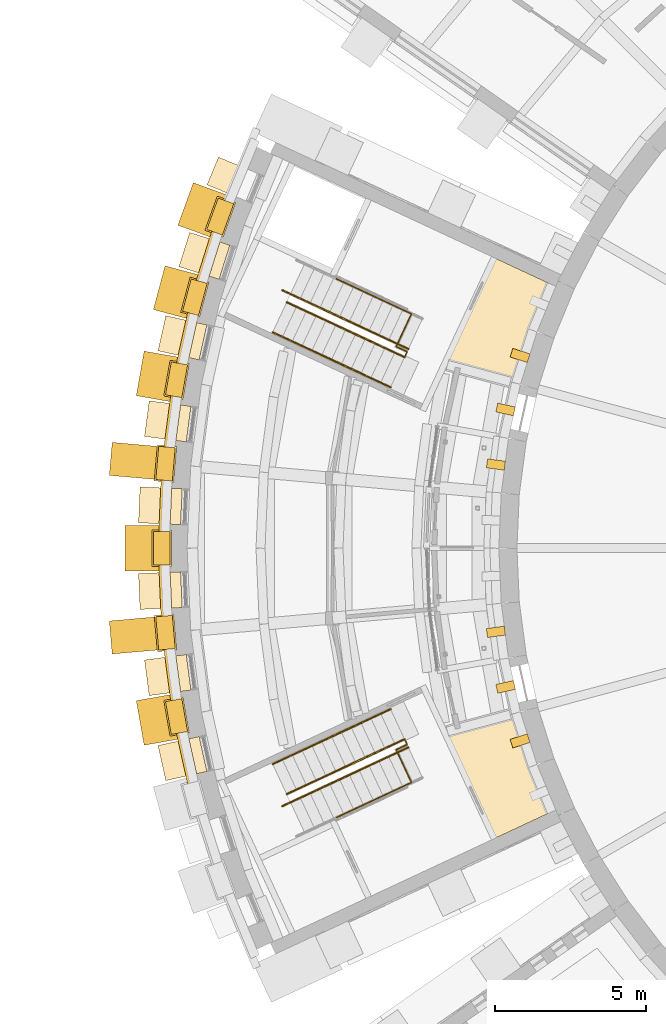
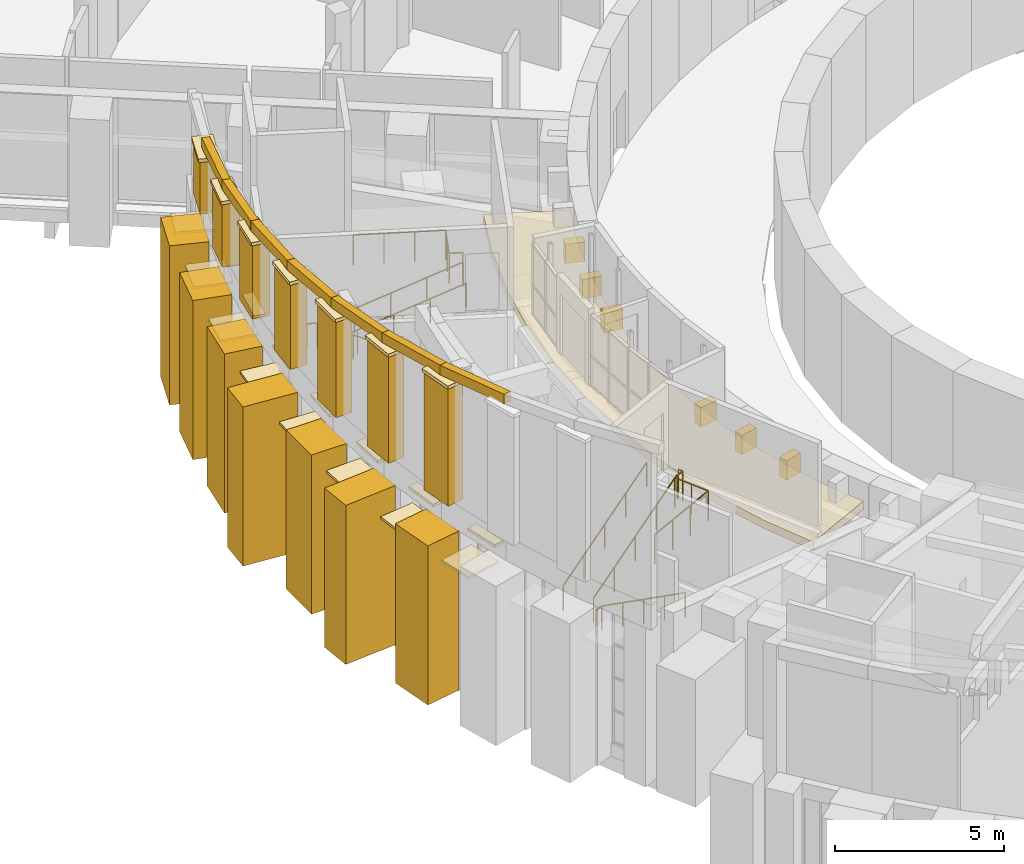
# One storey, part 55 of 66: 50 coverings, 8 railings.
"""IFC4 building model written with IfcOpenShell, lengths in metres."""

import ifcopenshell
import ifcopenshell.guid

model = None  # the IFC model being written
_history = None  # IfcOwnerHistory: only IFC2X3 demands one
_inside = {}  # id of a spatial element -> (the spatial element, [elements in it])
_under = {}  # id of a project, library or spatial element -> (it, [spatial elements below it])
_declared = {}  # id of a project -> (the project, [libraries it declares])
_typed = {}  # id of a type object -> (the type object, [elements of that type])
_made_of = {}  # id of a material, layer set ... -> (it, [elements and type objects made of it])


def new_model(schema):
    """Start an empty IFC model of exactly this schema.

    Asked for "IFC4X3", IfcOpenShell would pick the latest addendum, in which some entities
    have other attributes; the version numbers below select the first issue.
    IFC2X3 requires an IfcOwnerHistory on every rooted entity: one is made here for all.
    """
    global model, _history
    if schema == "IFC4X3":
        model = ifcopenshell.file(schema_version=(4, 3, 0, 0))
    else:
        model = ifcopenshell.file(schema=schema)
    _inside.clear()
    _under.clear()
    _declared.clear()
    _typed.clear()
    _made_of.clear()
    _history = None
    if model.schema == "IFC2X3":
        org = make("IfcOrganization", Name="unknown")
        user = make(
            "IfcPersonAndOrganization",
            ThePerson=make("IfcPerson", FamilyName="unknown"),
            TheOrganization=org,
        )
        app = make(
            "IfcApplication",
            ApplicationDeveloper=org,
            Version="unknown",
            ApplicationFullName="unknown",
            ApplicationIdentifier="unknown",
        )
        _history = make(
            "IfcOwnerHistory",
            OwningUser=user,
            OwningApplication=app,
            ChangeAction="ADDED",
            CreationDate=0,
        )
    return model


def make(cls, **values):
    """One entity of the class cls with the attributes given. An attribute that is None is left unset."""
    return model.create_entity(
        cls, **{name: value for name, value in values.items() if value is not None}
    )


def rooted(cls, **values):
    """An entity with a GlobalId (a new one), such as an element, a storey or a relation."""
    return make(cls, GlobalId=ifcopenshell.guid.new(), OwnerHistory=_history, **values)


def si_unit(unit_type, name, prefix=None):
    """IfcSIUnit, for example si_unit("LENGTHUNIT", "METRE", prefix="MILLI")."""
    return make("IfcSIUnit", UnitType=unit_type, Prefix=prefix, Name=name)


def assignment(units):
    """IfcUnitAssignment: the units of a project."""
    return None if units is None else make("IfcUnitAssignment", Units=units)


def point(xyz):
    """IfcCartesianPoint."""
    return None if xyz is None else make("IfcCartesianPoint", Coordinates=xyz)


def direction(xyz):
    """IfcDirection."""
    return None if xyz is None else make("IfcDirection", DirectionRatios=xyz)


def frame(location, z_axis=None, x_axis=None):
    """IfcAxis2Placement3D, a coordinate frame: its origin and axes. An axis left out is left unset."""
    return make(
        "IfcAxis2Placement3D",
        Location=point(location),
        Axis=direction(z_axis),
        RefDirection=direction(x_axis),
    )


def frame_2d(location, x_axis=None):
    """IfcAxis2Placement2D, a coordinate frame in the plane: its origin and x axis."""
    return make(
        "IfcAxis2Placement2D", Location=point(location), RefDirection=direction(x_axis)
    )


def origin():
    """The frame at (0, 0, 0) with its axes left unset."""
    return frame((0.0, 0.0, 0.0))


def origin_2d():
    """The frame at (0, 0) in the plane with its x axis left unset."""
    return frame_2d((0.0, 0.0))


def place(relative_to, where):
    """IfcLocalPlacement: puts the frame where relative to a parent placement (None: the world)."""
    return make(
        "IfcLocalPlacement", PlacementRelTo=relative_to, RelativePlacement=where
    )


def context(
    kind, dimensions, precision=None, world=None, true_north=None, identifier=None
):
    """IfcGeometricRepresentationContext, for example the 3D "Model" context."""
    return make(
        "IfcGeometricRepresentationContext",
        ContextIdentifier=identifier,
        ContextType=kind,
        CoordinateSpaceDimension=dimensions,
        Precision=precision,
        WorldCoordinateSystem=world,
        TrueNorth=true_north,
    )


def subcontext(parent, identifier, kind, view, scale=None):
    """IfcGeometricRepresentationSubContext, for example "Body" below "Model"."""
    return make(
        "IfcGeometricRepresentationSubContext",
        ContextIdentifier=identifier,
        ContextType=kind,
        ParentContext=parent,
        TargetScale=scale,
        TargetView=view,
    )


def project(units=None, contexts=None):
    """IfcProject with its units and contexts."""
    return rooted(
        "IfcProject",
        Name="project",
        RepresentationContexts=contexts,
        UnitsInContext=assignment(units),
    )


def spatial(cls, under=None, at=None, **own):
    """A site, building, storey or space (cls), placed at a placement, below another one or the project."""
    s = rooted(cls, ObjectPlacement=at, **own)
    if under is not None:
        _under.setdefault(under.id(), (under, []))[1].append(s)
    return s


def polyline(points):
    """IfcPolyline through the points."""
    return make("IfcPolyline", Points=[point(p) for p in points])


def profile(cls, at=None, kind="AREA", **sizes):
    """A parametric profile (cls). Its sizes go by their IFC names, for example OverallWidth=200.0."""
    return make(cls, ProfileType=kind, Position=at, **sizes)


def rectangle(**sizes):
    """IfcRectangleProfileDef."""
    return profile("IfcRectangleProfileDef", **sizes)


def circle(**sizes):
    """IfcCircleProfileDef."""
    return profile("IfcCircleProfileDef", **sizes)


def outline(outer, holes=None, kind="AREA"):
    """IfcArbitraryClosedProfileDef: a profile drawn as a closed curve; with holes, ...WithVoids."""
    if holes is None:
        return make("IfcArbitraryClosedProfileDef", ProfileType=kind, OuterCurve=outer)
    return make(
        "IfcArbitraryProfileDefWithVoids",
        ProfileType=kind,
        OuterCurve=outer,
        InnerCurves=holes,
    )


def extrude(swept, where, along, depth):
    """IfcExtrudedAreaSolid: the profile swept, set in the frame where, extruded along a direction by depth."""
    return make(
        "IfcExtrudedAreaSolid",
        SweptArea=swept,
        Position=where,
        ExtrudedDirection=direction(along),
        Depth=depth,
    )


def shape(context_of_items, identifier, shape_type, items):
    """IfcShapeRepresentation: the items that make up one representation, for example the "Body"."""
    return make(
        "IfcShapeRepresentation",
        ContextOfItems=context_of_items,
        RepresentationIdentifier=identifier,
        RepresentationType=shape_type,
        Items=items,
    )


def material(Name=None, Category=None):
    """IfcMaterial."""
    return make("IfcMaterial", Name=Name, Category=Category)


def layer(
    of_material, thickness, ventilated=None, Name=None, Category=None, Priority=None
):
    """IfcMaterialLayer: one layer of a wall or slab, of a material (None: an air gap)."""
    return make(
        "IfcMaterialLayer",
        Material=of_material,
        LayerThickness=thickness,
        IsVentilated=ventilated,
        Name=Name,
        Category=Category,
        Priority=Priority,
    )


def layer_set(layers, Name=None):
    """IfcMaterialLayerSet."""
    return make("IfcMaterialLayerSet", MaterialLayers=layers, LayerSetName=Name)


def made_of(thing, what):
    """Note that an element or type object is made of a material, layer set ...; save() writes the relation."""
    if what is not None:
        _made_of.setdefault(what.id(), (what, []))[1].append(thing)
    return thing


def type_object(cls, material=None, **own):
    """A type object (cls), such as IfcWallType, which elements share."""
    return made_of(rooted(cls, **own), material)


def element(
    cls,
    number,
    at=None,
    inside=None,
    cuts=None,
    type_object=None,
    material=None,
    context=None,
    identifier="Body",
    shape_type=None,
    held_by="IfcProductDefinitionShape",
    body=None,
    shapes=None,
    **own,
):
    """One element of the class cls, such as IfcWall. Its Tag is "e" and its number.

    at: its placement. inside: the storey or other place that contains it. cuts: it is an
    opening in that element (IfcRelVoidsElement). A single representation is given by context,
    identifier, shape_type and body (its items); several are given by shapes. held_by: the class
    of the entity that holds the representations. save() writes the other relations.
    """
    e = rooted(cls, Tag="e%d" % number, ObjectPlacement=at, **own)
    if body is not None:
        shapes = [shape(context, identifier, shape_type, body)]
    if shapes is not None:
        e.Representation = make(held_by, Representations=shapes)
    if inside is not None:
        _inside.setdefault(inside.id(), (inside, []))[1].append(e)
    if cuts is not None:
        rooted(
            "IfcRelVoidsElement", RelatingBuildingElement=cuts, RelatedOpeningElement=e
        )
    if type_object is not None:
        _typed.setdefault(type_object.id(), (type_object, []))[1].append(e)
    return made_of(e, material)


def aggregate(whole, parts):
    """IfcRelAggregates: a whole, such as a stair, and the parts it consists of."""
    return rooted("IfcRelAggregates", RelatingObject=whole, RelatedObjects=parts)


def save(model, path):
    """Write the relations noted so far, then the file.

    IfcRelAggregates (storeys below a building ...), IfcRelContainedInSpatialStructure (elements
    in a storey), IfcRelDefinesByType, IfcRelAssociatesMaterial and IfcRelDeclares: one each for
    every whole, place, type object, material and project.
    """
    for whole, parts in _under.values():
        aggregate(whole, parts)
    for where, things in _inside.values():
        rooted(
            "IfcRelContainedInSpatialStructure",
            RelatedElements=things,
            RelatingStructure=where,
        )
    for kind, things in _typed.values():
        rooted("IfcRelDefinesByType", RelatedObjects=things, RelatingType=kind)
    for what, things in _made_of.values():
        rooted("IfcRelAssociatesMaterial", RelatedObjects=things, RelatingMaterial=what)
    for by, libraries in _declared.values():
        rooted("IfcRelDeclares", RelatingContext=by, RelatedDefinitions=libraries)
    model.write(path)


model = new_model("IFC4")

# Units and contexts
model_context = context("Model", 3, precision=1e-05, world=origin(), true_north=direction((0.0, 1.0)))
body_context = subcontext(model_context, "Body", "Model", "MODEL_VIEW")
ifc_project = project(units=[si_unit("LENGTHUNIT", "METRE"), si_unit("AREAUNIT", "SQUARE_METRE"), si_unit("VOLUMEUNIT", "CUBIC_METRE"), si_unit("PLANEANGLEUNIT", "RADIAN"), si_unit("MASSUNIT", "GRAM", prefix="KILO")], contexts=[model_context])

# Site, building, storey
site_placement = place(None, origin())
site = spatial("IfcSite", under=ifc_project, at=site_placement, CompositionType="ELEMENT")
building_placement = place(site_placement, origin())
building = spatial("IfcBuilding", under=site, at=building_placement, Name="Volute Hill Aquarium", CompositionType="ELEMENT")
storey_placement = place(building_placement, frame((0.0, 0.0, 4.60009765625)))
storey = spatial("IfcBuildingStorey", under=building, at=storey_placement, Name="L02", CompositionType="ELEMENT", Elevation=4.60009765625)

# Coverings
ifc_material_1 = material(Name="Precast concrete C40/50", Category="concrete")
covering_type_1 = type_object("IfcCoveringType", Name="Crown coping beam precast concrete C40/50 250x350", PredefinedType="CLADDING", material=ifc_material_1)
covering_1_placement = place(storey_placement, frame((-30.367919921875, 11.047119140625, 8.67626953125), z_axis=(-0.953712655067, 0.300719423325, 0.0), x_axis=(-0.297769818201, -0.944358168739, 0.139716801081)))
element("IfcCovering", 1, at=covering_1_placement, inside=storey, type_object=covering_type_1, Name="Crown coping beam PCB S1 b01", PredefinedType="CLADDING", context=body_context, shape_type="SweptSolid", body=[
    extrude(outline(polyline([(0.0, 0.0), (2.836024238373894, -5.551115123125783e-17), (2.8849046524241113, 0.34642197897571597), (0.04888041405021717, 0.346421978975716), (0.0, 0.0)])), origin(), (0.0, 0.0, -1.0), 0.25),
])
covering_2_placement = place(storey_placement, frame((-31.21533203125, 8.3583984375, 9.072509765625), z_axis=(-0.976307598747, 0.216387320862, 0.0), x_axis=(-0.214264925357, -0.966731664025, 0.139715537909)))
element("IfcCovering", 2, at=covering_2_placement, inside=storey, type_object=covering_type_1, Name="Crown coping beam PCB S1 b02", PredefinedType="CLADDING", context=body_context, shape_type="SweptSolid", body=[
    extrude(outline(polyline([(0.0, 0.0), (2.836049878965016, 0.0), (2.8849298510897508, 0.34642204133146215), (0.0488799721247349, 0.3464220413314622), (0.0, 0.0)])), origin(), (0.0, 0.0, -1.0), 0.25),
])
covering_3_placement = place(storey_placement, frame((-31.824951171875, 5.60595703125, 9.46875), z_axis=(-0.991436234118, 0.130591706011, 0.0), x_axis=(-0.129310595881, -0.981710202953, 0.139727761062)))
element("IfcCovering", 3, at=covering_3_placement, inside=storey, type_object=covering_type_1, Name="Crown coping beam PCB S1 b03", PredefinedType="CLADDING", context=body_context, shape_type="SweptSolid", body=[
    extrude(outline(polyline([(0.0, 0.0), (2.835801786007552, -5.551115123125783e-17), (2.8846860344455694, 0.34642143791893465), (0.0488842484380178, 0.34642143791893465), (0.0, 0.0)])), origin(), (0.0, 0.0, -1.0), 0.25),
])
covering_4_placement = place(storey_placement, frame((-32.192626953125, 2.81103515625, 9.864990234375), z_axis=(-0.999047280142, 0.043640944538, 0.0), x_axis=(-0.043212932331, -0.989249040543, 0.139710337)))
element("IfcCovering", 4, at=covering_4_placement, inside=storey, type_object=covering_type_1, Name="Crown coping beam PCB S1 b04", PredefinedType="CLADDING", context=body_context, shape_type="SweptSolid", body=[
    extrude(outline(polyline([(0.0, 0.0), (2.8361554548091217, 5.551115123125783e-17), (2.8850336073776304, 0.34642229806503766), (0.04887815256850845, 0.3464222980650376), (0.0, 0.0)])), origin(), (0.0, 0.0, -1.0), 0.25),
])
covering_5_placement = place(storey_placement, frame((-32.315185546875, -0.00537109375, 10.26123046875), z_axis=(-0.999047280142, -0.043640944538, 0.0), x_axis=(0.043212932331, -0.989249040543, 0.139710337)))
element("IfcCovering", 5, at=covering_5_placement, inside=storey, type_object=covering_type_1, Name="Crown coping beam PCB S1 b05", PredefinedType="CLADDING", context=body_context, shape_type="SweptSolid", body=[
    extrude(outline(polyline([(0.0, 0.0), (2.8361554548091217, 5.551115123125783e-17), (2.8850677163466245, 0.34666404426047726), (0.04887815256850845, 0.3464222980650376), (0.0, 0.0)])), origin(), (0.0, 0.0, -1.0), 0.25),
])
covering_6_placement = place(storey_placement, frame((-32.191650390625, -2.822021484375, 10.657470703125), z_axis=(-0.991448968315, -0.130494993111, 0.0), x_axis=(0.12921502055, -0.98172424674, 0.139717507231)))
element("IfcCovering", 6, at=covering_6_placement, inside=storey, type_object=covering_type_1, Name="Crown coping beam PCB S1 b06", PredefinedType="CLADDING", context=body_context, shape_type="SweptSolid", body=[
    extrude(outline(polyline([(0.0, 0.0), (2.8360099047621032, -5.551115123125783e-17), (2.8849246765806718, 0.34666369006528586), (0.04891477181856841, 0.34666369006528586), (0.0, 0.0)])), origin(), (0.0, 0.0, -1.0), 0.25),
])
covering_7_placement = place(storey_placement, frame((-31.8232421875, -5.616943359375, 11.0537109375), z_axis=(-0.976285154844, -0.216488559583, 0.0), x_axis=(0.214364894641, -0.966708193545, 0.139724587953)))
element("IfcCovering", 7, at=covering_7_placement, inside=storey, type_object=covering_type_1, Name="Crown coping beam PCB S1 b07", PredefinedType="CLADDING", context=body_context, shape_type="SweptSolid", body=[
    extrude(outline(polyline([(0.0, 0.0), (2.835866186332988, 5.551115123125783e-17), (2.8847834370958028, 0.3466633402734577), (0.048917250762814855, 0.34666334027345763), (0.0, 0.0)])), origin(), (0.0, 0.0, -1.0), 0.25),
])
ifc_material_2 = material(Name="Precast pale concrete C40/50", Category="concrete")
covering_type_2 = type_object("IfcCoveringType", Name="Drum pier fin 300x600", PredefinedType="CLADDING", material=ifc_material_2)
for number, where, z_axis, x_axis, name in (
    (8, (-20.29541015625, 6.399169921875, 3.89990234375), (0.0, 0.0, 1.0), (-0.300705799504, -0.953716950748, 0.0), "Drum pier fin DF 33 L02"),
    (9, (-20.77587890625, 4.60595703125, 3.89990234375), (0.0, 0.0, 1.0), (-0.216439613938, -0.97629600712, 0.0), "Drum pier fin DF 34 L02"),
    (10, (-21.09814453125, 2.777587890625, 3.89990234375), (0.0, 0.0, 1.0), (-0.13052619222, -0.991444861374, 0.0), "Drum pier fin DF 35 L02"),
    (11, (-21.09814453125, -2.777587890625, 3.89990234375), (0.0, 0.0, 1.0), (0.13052619222, -0.991444861374, 0.0), "Drum pier fin DF 38 L02"),
    (12, (-20.77587890625, -4.60595703125, 3.89990234375), (0.0, 0.0, 1.0), (0.216439613938, -0.97629600712, 0.0), "Drum pier fin DF 39 L02"),
    (13, (-20.29541015625, -6.399169921875, 3.89990234375), (0.0, 0.0, 1.0), (0.300705799504, -0.953716950748, 0.0), "Drum pier fin DF 40 L02"),
):
    element("IfcCovering", number, at=place(storey_placement, frame(where, z_axis=z_axis, x_axis=x_axis)), inside=storey, type_object=covering_type_2, Name=name, PredefinedType="CLADDING", context=body_context, shape_type="SweptSolid", body=[
        extrude(rectangle(XDim=0.300048828125, YDim=0.60009765625, at=origin_2d()), origin(), (0.0, 0.0, 1.0), 0.699951171875),
    ])

# Railings
ifc_material_3 = material(Name="Stainless steel 1.4301", Category="steel")
railing_type_1 = type_object("IfcRailingType", Name="Guard 1100 stainless", PredefinedType="GUARDRAIL", material=ifc_material_3)
railing_1_placement = place(storey_placement, frame((-24.109375, 6.387451171875, 4.31982421875)))
element("IfcRailing", 14, at=railing_1_placement, inside=storey, type_object=railing_type_1, Name="gd/S1-A/L02/roofwell", PredefinedType="GUARDRAIL", context=body_context, shape_type="SweptSolid", body=[
    extrude(circle(Radius=0.02392578125, at=origin_2d()), frame((0.0, 0.0, 1.076171875), z_axis=(0.422974523056, 0.906141574394, 0.0), x_axis=(-0.906141574394, 0.422974523056, 0.0)), (0.0, 0.0, 1.0), 0.150146484375),
    extrude(circle(Radius=0.02392578125, at=origin_2d()), frame((0.0634765625, 0.135986328125, 1.076171875), z_axis=(-0.906416906794, 0.422384174748, 0.0), x_axis=(-0.422384174748, -0.906416906794, 0.0)), (0.0, 0.0, 1.0), 0.39990234375),
    extrude(circle(Radius=0.02392578125, at=origin_2d()), frame((-0.299072265625, 0.304931640625, 1.076171875), z_axis=(0.422551314709, 0.90633900194, 0.0), x_axis=(-0.90633900194, 0.422551314709, 0.0)), (0.0, 0.0, 1.0), 1.199951171875),
    extrude(circle(Radius=0.02392578125, at=origin_2d()), frame((0.2080078125, 1.392578125, 1.076171875), z_axis=(-0.906291971302, 0.422652177037, 0.0), x_axis=(-0.422652177037, -0.906291971302, 0.0)), (0.0, 0.0, 1.0), 2.750244140625),
    extrude(circle(Radius=0.02099609375, at=origin_2d()), origin(), (0.0, 0.0, 1.0), 1.052001953125),
    extrude(circle(Radius=0.02099609375, at=origin_2d()), frame((0.0634765625, 0.135986328125, 0.0)), (0.0, 0.0, 1.0), 1.052001953125),
    extrude(circle(Radius=0.02099609375, at=origin_2d()), frame((-0.299072265625, 0.304931640625, 0.0)), (0.0, 0.0, 1.0), 1.052001953125),
    extrude(circle(Radius=0.02099609375, at=origin_2d()), frame((-0.04541015625, 0.8486328125, 0.0)), (0.0, 0.0, 1.0), 1.052001953125),
    extrude(circle(Radius=0.02099609375, at=origin_2d()), frame((0.2080078125, 1.392578125, 0.0)), (0.0, 0.0, 1.0), 1.052001953125),
    extrude(circle(Radius=0.02099609375, at=origin_2d()), frame((-0.622802734375, 1.780029296875, 0.0)), (0.0, 0.0, 1.0), 1.052001953125),
    extrude(circle(Radius=0.02099609375, at=origin_2d()), frame((-1.45361328125, 2.16748046875, 0.0)), (0.0, 0.0, 1.0), 1.052001953125),
    extrude(circle(Radius=0.02099609375, at=origin_2d()), frame((-2.284423828125, 2.554931640625, 0.0)), (0.0, 0.0, 1.0), 1.052001953125),
])
railing_2_placement = place(storey_placement, frame((-24.109375, -6.387451171875, 4.31982421875)))
element("IfcRailing", 15, at=railing_2_placement, inside=storey, type_object=railing_type_1, Name="gd/S1-B/L02/roofwell", PredefinedType="GUARDRAIL", context=body_context, shape_type="SweptSolid", body=[
    extrude(circle(Radius=0.02392578125, at=origin_2d()), frame((0.0, 0.0, 1.076171875), z_axis=(0.422974523056, -0.906141574394, 0.0), x_axis=(0.906141574394, 0.422974523056, 0.0)), (0.0, 0.0, 1.0), 0.150146484375),
    extrude(circle(Radius=0.02392578125, at=origin_2d()), frame((0.0634765625, -0.135986328125, 1.076171875), z_axis=(-0.906416906794, -0.422384174748, 0.0), x_axis=(0.422384174748, -0.906416906794, 0.0)), (0.0, 0.0, 1.0), 0.39990234375),
    extrude(circle(Radius=0.02392578125, at=origin_2d()), frame((-0.299072265625, -0.304931640625, 1.076171875), z_axis=(0.422551314709, -0.90633900194, 0.0), x_axis=(0.90633900194, 0.422551314709, 0.0)), (0.0, 0.0, 1.0), 1.199951171875),
    extrude(circle(Radius=0.02392578125, at=origin_2d()), frame((0.2080078125, -1.392578125, 1.076171875), z_axis=(-0.906291971302, -0.422652177037, 0.0), x_axis=(0.422652177037, -0.906291971302, 0.0)), (0.0, 0.0, 1.0), 2.750244140625),
    extrude(circle(Radius=0.02099609375, at=origin_2d()), origin(), (0.0, 0.0, 1.0), 1.052001953125),
    extrude(circle(Radius=0.02099609375, at=origin_2d()), frame((0.0634765625, -0.135986328125, 0.0)), (0.0, 0.0, 1.0), 1.052001953125),
    extrude(circle(Radius=0.02099609375, at=origin_2d()), frame((-0.299072265625, -0.304931640625, 0.0)), (0.0, 0.0, 1.0), 1.052001953125),
    extrude(circle(Radius=0.02099609375, at=origin_2d()), frame((-0.04541015625, -0.8486328125, 0.0)), (0.0, 0.0, 1.0), 1.052001953125),
    extrude(circle(Radius=0.02099609375, at=origin_2d()), frame((0.2080078125, -1.392578125, 0.0)), (0.0, 0.0, 1.0), 1.052001953125),
    extrude(circle(Radius=0.02099609375, at=origin_2d()), frame((-0.622802734375, -1.780029296875, 0.0)), (0.0, 0.0, 1.0), 1.052001953125),
    extrude(circle(Radius=0.02099609375, at=origin_2d()), frame((-1.45361328125, -2.16748046875, 0.0)), (0.0, 0.0, 1.0), 1.052001953125),
    extrude(circle(Radius=0.02099609375, at=origin_2d()), frame((-2.284423828125, -2.554931640625, 0.0)), (0.0, 0.0, 1.0), 1.052001953125),
])
ifc_material_4 = material(Name="Stainless steel 1.4301", Category="steel")
railing_type_2 = type_object("IfcRailingType", Name="Handrail 48 stainless", PredefinedType="HANDRAIL", material=ifc_material_4)
railing_3_placement = place(storey_placement, frame((-24.003662109375, 6.614013671875, 0.166015625)))
element("IfcRailing", 16, at=railing_3_placement, inside=storey, type_object=railing_type_2, Name="hr/S1-A/L02/2", PredefinedType="HANDRAIL", context=body_context, shape_type="SweptSolid", body=[
    extrude(circle(Radius=0.02392578125, at=origin_2d()), frame((0.0, 0.0, 0.8759765625), z_axis=(-0.822891101638, 0.383711396025, 0.419065387983), x_axis=(-0.42261009579, -0.906311594837, 0.0)), (0.0, 0.0, 1.0), 4.758056640625),
    extrude(circle(Radius=0.02392578125, at=origin_2d()), frame((-3.915283203125, 1.82568359375, 2.86962890625), z_axis=(-0.906141574394, 0.422974523056, 0.0), x_axis=(-0.422974523056, -0.906141574394, 0.0)), (0.0, 0.0, 1.0), 0.300048828125),
    extrude(circle(Radius=0.02099609375, at=origin_2d()), origin(), (0.0, 0.0, 1.0), 0.851806640625),
    extrude(circle(Radius=0.02099609375, at=origin_2d()), frame((-0.978759765625, 0.45654296875, 0.49853515625)), (0.0, 0.0, 1.0), 0.851806640625),
    extrude(circle(Radius=0.02099609375, at=origin_2d()), frame((-1.95751953125, 0.912841796875, 0.9970703125)), (0.0, 0.0, 1.0), 0.851806640625),
    extrude(circle(Radius=0.02099609375, at=origin_2d()), frame((-2.9365234375, 1.369140625, 1.495361328125)), (0.0, 0.0, 1.0), 0.851806640625),
    extrude(circle(Radius=0.02099609375, at=origin_2d()), frame((-3.915283203125, 1.82568359375, 1.993896484375)), (0.0, 0.0, 1.0), 0.851806640625),
    extrude(circle(Radius=0.02099609375, at=origin_2d()), frame((-4.187255859375, 1.95263671875, 1.993896484375)), (0.0, 0.0, 1.0), 0.851806640625),
])
railing_4_placement = place(storey_placement, frame((-28.0458984375, 8.16796875, 2.326171875)))
element("IfcRailing", 17, at=railing_4_placement, inside=storey, type_object=railing_type_2, Name="hr/S1-A/L02/3", PredefinedType="HANDRAIL", context=body_context, shape_type="SweptSolid", body=[
    extrude(circle(Radius=0.02392578125, at=origin_2d()), frame((0.0, 0.0, 0.8759765625), z_axis=(0.822908795833, -0.38371964677, 0.419023085788), x_axis=(0.42261009579, 0.906311594837, 0.0)), (0.0, 0.0, 1.0), 4.7578125),
    extrude(circle(Radius=0.02099609375, at=origin_2d()), origin(), (0.0, 0.0, 1.0), 0.851806640625),
    extrude(circle(Radius=0.02099609375, at=origin_2d()), frame((0.978759765625, -0.45654296875, 0.49853515625)), (0.0, 0.0, 1.0), 0.851806640625),
    extrude(circle(Radius=0.02099609375, at=origin_2d()), frame((1.95751953125, -0.912841796875, 0.996826171875)), (0.0, 0.0, 1.0), 0.851806640625),
    extrude(circle(Radius=0.02099609375, at=origin_2d()), frame((2.9365234375, -1.369140625, 1.4951171875)), (0.0, 0.0, 1.0), 0.851806640625),
    extrude(circle(Radius=0.02099609375, at=origin_2d()), frame((3.915283203125, -1.82568359375, 1.99365234375)), (0.0, 0.0, 1.0), 0.851806640625),
])
railing_5_placement = place(storey_placement, frame((-28.510498046875, 7.1708984375, 2.326171875)))
element("IfcRailing", 18, at=railing_5_placement, inside=storey, type_object=railing_type_2, Name="hr/S1-A/L02/4", PredefinedType="HANDRAIL", context=body_context, shape_type="SweptSolid", body=[
    extrude(circle(Radius=0.02392578125, at=origin_2d()), frame((0.0, 0.0, 0.8759765625), z_axis=(0.82289222982, -0.383735850249, 0.419040780039), x_axis=(0.422631742487, 0.906301500739, 0.0)), (0.0, 0.0, 1.0), 4.757568359375),
    extrude(circle(Radius=0.02099609375, at=origin_2d()), origin(), (0.0, 0.0, 1.0), 0.851806640625),
    extrude(circle(Radius=0.02099609375, at=origin_2d()), frame((0.978759765625, -0.45654296875, 0.49853515625)), (0.0, 0.0, 1.0), 0.851806640625),
    extrude(circle(Radius=0.02099609375, at=origin_2d()), frame((1.95751953125, -0.912841796875, 0.996826171875)), (0.0, 0.0, 1.0), 0.851806640625),
    extrude(circle(Radius=0.02099609375, at=origin_2d()), frame((2.936279296875, -1.369140625, 1.4951171875)), (0.0, 0.0, 1.0), 0.851806640625),
    extrude(circle(Radius=0.02099609375, at=origin_2d()), frame((3.9150390625, -1.82568359375, 1.99365234375)), (0.0, 0.0, 1.0), 0.851806640625),
])
railing_6_placement = place(storey_placement, frame((-24.003662109375, -6.614013671875, 0.166015625)))
element("IfcRailing", 19, at=railing_6_placement, inside=storey, type_object=railing_type_2, Name="hr/S1-B/L02/2", PredefinedType="HANDRAIL", context=body_context, shape_type="SweptSolid", body=[
    extrude(circle(Radius=0.02392578125, at=origin_2d()), frame((0.0, 0.0, 0.8759765625), z_axis=(-0.822891101638, -0.383711396025, 0.419065387983), x_axis=(0.42261009579, -0.906311594837, 0.0)), (0.0, 0.0, 1.0), 4.758056640625),
    extrude(circle(Radius=0.02392578125, at=origin_2d()), frame((-3.915283203125, -1.82568359375, 2.86962890625), z_axis=(-0.906141574394, -0.422974523056, 0.0), x_axis=(0.422974523056, -0.906141574394, 0.0)), (0.0, 0.0, 1.0), 0.300048828125),
    extrude(circle(Radius=0.02099609375, at=origin_2d()), origin(), (0.0, 0.0, 1.0), 0.851806640625),
    extrude(circle(Radius=0.02099609375, at=origin_2d()), frame((-0.978759765625, -0.45654296875, 0.49853515625)), (0.0, 0.0, 1.0), 0.851806640625),
    extrude(circle(Radius=0.02099609375, at=origin_2d()), frame((-1.95751953125, -0.912841796875, 0.9970703125)), (0.0, 0.0, 1.0), 0.851806640625),
    extrude(circle(Radius=0.02099609375, at=origin_2d()), frame((-2.9365234375, -1.369140625, 1.495361328125)), (0.0, 0.0, 1.0), 0.851806640625),
    extrude(circle(Radius=0.02099609375, at=origin_2d()), frame((-3.915283203125, -1.82568359375, 1.993896484375)), (0.0, 0.0, 1.0), 0.851806640625),
    extrude(circle(Radius=0.02099609375, at=origin_2d()), frame((-4.187255859375, -1.95263671875, 1.993896484375)), (0.0, 0.0, 1.0), 0.851806640625),
])
railing_7_placement = place(storey_placement, frame((-28.0458984375, -8.16796875, 2.326171875)))
element("IfcRailing", 20, at=railing_7_placement, inside=storey, type_object=railing_type_2, Name="hr/S1-B/L02/3", PredefinedType="HANDRAIL", context=body_context, shape_type="SweptSolid", body=[
    extrude(circle(Radius=0.02392578125, at=origin_2d()), frame((0.0, 0.0, 0.8759765625), z_axis=(0.822908795833, 0.38371964677, 0.419023085788), x_axis=(-0.42261009579, 0.906311594837, 0.0)), (0.0, 0.0, 1.0), 4.7578125),
    extrude(circle(Radius=0.02099609375, at=origin_2d()), origin(), (0.0, 0.0, 1.0), 0.851806640625),
    extrude(circle(Radius=0.02099609375, at=origin_2d()), frame((0.978759765625, 0.45654296875, 0.49853515625)), (0.0, 0.0, 1.0), 0.851806640625),
    extrude(circle(Radius=0.02099609375, at=origin_2d()), frame((1.95751953125, 0.912841796875, 0.996826171875)), (0.0, 0.0, 1.0), 0.851806640625),
    extrude(circle(Radius=0.02099609375, at=origin_2d()), frame((2.9365234375, 1.369140625, 1.4951171875)), (0.0, 0.0, 1.0), 0.851806640625),
    extrude(circle(Radius=0.02099609375, at=origin_2d()), frame((3.915283203125, 1.82568359375, 1.99365234375)), (0.0, 0.0, 1.0), 0.851806640625),
])
railing_8_placement = place(storey_placement, frame((-28.510498046875, -7.1708984375, 2.326171875)))
element("IfcRailing", 21, at=railing_8_placement, inside=storey, type_object=railing_type_2, Name="hr/S1-B/L02/4", PredefinedType="HANDRAIL", context=body_context, shape_type="SweptSolid", body=[
    extrude(circle(Radius=0.02392578125, at=origin_2d()), frame((0.0, 0.0, 0.8759765625), z_axis=(0.82289222982, 0.383735850249, 0.419040780039), x_axis=(-0.422631742487, 0.906301500739, 0.0)), (0.0, 0.0, 1.0), 4.757568359375),
    extrude(circle(Radius=0.02099609375, at=origin_2d()), origin(), (0.0, 0.0, 1.0), 0.851806640625),
    extrude(circle(Radius=0.02099609375, at=origin_2d()), frame((0.978759765625, 0.45654296875, 0.49853515625)), (0.0, 0.0, 1.0), 0.851806640625),
    extrude(circle(Radius=0.02099609375, at=origin_2d()), frame((1.95751953125, 0.912841796875, 0.996826171875)), (0.0, 0.0, 1.0), 0.851806640625),
    extrude(circle(Radius=0.02099609375, at=origin_2d()), frame((2.936279296875, 1.369140625, 1.4951171875)), (0.0, 0.0, 1.0), 0.851806640625),
    extrude(circle(Radius=0.02099609375, at=origin_2d()), frame((3.9150390625, 1.82568359375, 1.99365234375)), (0.0, 0.0, 1.0), 0.851806640625),
])

# Coverings
ifc_material_5 = material(Name="Aluminium, anodised", Category="aluminium")
ifc_layer_1 = layer(ifc_material_5, 0.080078125)
ifc_layer_set_1 = layer_set([ifc_layer_1], Name="Horizontal brise-soleil eyebrow 1200x80")
covering_type_3 = type_object("IfcCoveringType", Name="Horizontal brise-soleil eyebrow 1200x80", PredefinedType="CLADDING", material=ifc_layer_set_1)
covering_8_placement = place(storey_placement, frame((-29.944091796875, 12.294921875, 5.019775390625), z_axis=(0.0, 0.0, 1.0), x_axis=(-0.382661654863, -0.923888552747, 0.0)))
element("IfcCovering", 22, at=covering_8_placement, inside=storey, type_object=covering_type_3, Name="Brise-soleil eyebrow BS S1 L02 1.1", PredefinedType="CLADDING", context=body_context, shape_type="SweptSolid", body=[
    extrude(rectangle(XDim=0.99267578125, YDim=1.199951171875, at=origin_2d()), origin(), (0.0, 0.0, 1.0), 0.080078125),
])
for number, where, z_axis, x_axis, name in (
    (23, (-30.87158203125, 9.733642578125, 5.019775390625), (0.0, 0.0, 1.0), (-0.300700050093, -0.953718763512, 0.0), "Brise-soleil eyebrow BS S1 L02 2.1"),
    (24, (-31.6025390625, 7.006103515625, 5.019775390625), (0.0, 0.0, 1.0), (-0.216460976305, -0.976291270952, 0.0), "Brise-soleil eyebrow BS S1 L02 3.1"),
    (25, (-32.0927734375, 4.22509765625, 5.019775390625), (0.0, 0.0, 1.0), (-0.130527244804, -0.991444722798, 0.0), "Brise-soleil eyebrow BS S1 L02 4.1"),
    (26, (-32.3388671875, 1.411865234375, 5.019775390625), (0.0, 0.0, 1.0), (-0.043615548819, -0.999048389169, 0.0), "Brise-soleil eyebrow BS S1 L02 5.1"),
    (27, (-32.3388671875, -1.412109375, 5.019775390625), (0.0, 0.0, 1.0), (0.043615548819, -0.999048389169, 0.0), "Brise-soleil eyebrow BS S1 L02 6.1"),
    (28, (-32.0927734375, -4.225341796875, 5.019775390625), (0.0, 0.0, 1.0), (0.130527244804, -0.991444722798, 0.0), "Brise-soleil eyebrow BS S1 L02 7.1"),
    (29, (-31.602294921875, -7.006103515625, 5.019775390625), (0.0, 0.0, 1.0), (0.216460976305, -0.976291270952, 0.0), "Brise-soleil eyebrow BS S1 L02 8.1"),
):
    element("IfcCovering", number, at=place(storey_placement, frame(where, z_axis=z_axis, x_axis=x_axis)), inside=storey, type_object=covering_type_3, Name=name, PredefinedType="CLADDING", context=body_context, shape_type="SweptSolid", body=[
        extrude(rectangle(XDim=1.19287109375, YDim=1.199951171875, at=origin_2d()), origin(), (0.0, 0.0, 1.0), 0.080078125),
    ])
ifc_material_6 = material(Name="Precast concrete C40/50", Category="concrete")
ifc_layer_2 = layer(ifc_material_6, 0.10009765625)
ifc_layer_set_2 = layer_set([ifc_layer_2], Name="Niche cap precast concrete C40/50 100")
covering_type_4 = type_object("IfcCoveringType", Name="Niche cap precast concrete C40/50 100", PredefinedType="CLADDING", material=ifc_layer_set_2)
for number, where, z_axis, x_axis, name in (
    (30, (-30.275390625, 9.545654296875, 5.659912109375), (0.0, 0.0, 1.0), (-0.300700050093, -0.953718763512, 0.0), "Niche cap NC S1 L02 2"),
    (31, (-30.9921875, 6.870849609375, 5.659912109375), (0.0, 0.0, 1.0), (-0.216460976305, -0.976291270952, 0.0), "Niche cap NC S1 L02 3"),
    (32, (-31.47314453125, 4.1435546875, 5.659912109375), (0.0, 0.0, 1.0), (-0.130527244804, -0.991444722798, 0.0), "Niche cap NC S1 L02 4"),
    (33, (-31.714599609375, 1.384765625, 5.659912109375), (0.0, 0.0, 1.0), (-0.043615548819, -0.999048389169, 0.0), "Niche cap NC S1 L02 5"),
    (34, (-31.714599609375, -1.384765625, 5.659912109375), (0.0, 0.0, 1.0), (0.043615548819, -0.999048389169, 0.0), "Niche cap NC S1 L02 6"),
    (35, (-31.47314453125, -4.1435546875, 5.659912109375), (0.0, 0.0, 1.0), (0.130527244804, -0.991444722798, 0.0), "Niche cap NC S1 L02 7"),
    (36, (-30.9921875, -6.870849609375, 5.659912109375), (0.0, 0.0, 1.0), (0.216460976305, -0.976291270952, 0.0), "Niche cap NC S1 L02 8"),
):
    element("IfcCovering", number, at=place(storey_placement, frame(where, z_axis=z_axis, x_axis=x_axis)), inside=storey, type_object=covering_type_4, Name=name, PredefinedType="CLADDING", context=body_context, shape_type="SweptSolid", body=[
        extrude(rectangle(XDim=1.19287109375, YDim=0.35009765625, at=origin_2d()), origin(), (0.0, 0.0, 1.0), 0.10009765625),
    ])
ifc_material_7 = material(Name="Precast concrete C40/50", Category="concrete")
ifc_layer_3 = layer(ifc_material_7, 0.1201171875)
ifc_layer_set_3 = layer_set([ifc_layer_3], Name="Pier crown coping precast concrete C40/50 1207x650")
covering_type_5 = type_object("IfcCoveringType", Name="Pier crown coping precast concrete C40/50 1207x650", PredefinedType="CLADDING", material=ifc_layer_set_3)
for number, where, z_axis, x_axis, name in (
    (37, (-30.248779296875, 11.009521484375, 8.55615234375), (0.0, 0.0, 1.0), (-0.342020143326, -0.939692620786, 0.0), "Pier crown coping PCC S1 1"),
    (38, (-31.09326171875, 8.331298828125, 8.952392578125), (0.0, 0.0, 1.0), (-0.258819045103, -0.965925826289, 0.0), "Pier crown coping PCC S1 2"),
    (39, (-31.700927734375, 5.589599609375, 9.3486328125), (0.0, 0.0, 1.0), (-0.173648177667, -0.984807753012, 0.0), "Pier crown coping PCC S1 3"),
    (40, (-32.067626953125, 2.8056640625, 9.744873046875), (0.0, 0.0, 1.0), (-0.087155742748, -0.996194698092, 0.0), "Pier crown coping PCC S1 4"),
    (41, (-32.190185546875, 0.0, 10.14111328125), (0.0, 0.0, 1.0), (0.0, -1.0, 0.0), "Pier crown coping PCC S1 5"),
    (42, (-32.067626953125, -2.8056640625, 10.537353515625), (0.0, 0.0, 1.0), (0.087155742748, -0.996194698092, 0.0), "Pier crown coping PCC S1 6"),
    (43, (-31.701171875, -5.58984375, 10.93359375), (0.0, 0.0, 1.0), (0.173648177667, -0.984807753012, 0.0), "Pier crown coping PCC S1 7"),
):
    element("IfcCovering", number, at=place(storey_placement, frame(where, z_axis=z_axis, x_axis=x_axis)), inside=storey, type_object=covering_type_5, Name=name, PredefinedType="CLADDING", context=body_context, shape_type="SweptSolid", body=[
        extrude(rectangle(XDim=1.20703125, YDim=0.64990234375, at=origin_2d()), origin(), (0.0, 0.0, 1.0), 0.1201171875),
    ])
ifc_material_8 = material(Name="Precast concrete C40/50", Category="concrete")
covering_type_6 = type_object("IfcCoveringType", Name="Pier crown fin precast concrete C40/50 1107x550", PredefinedType="CLADDING", material=ifc_material_8)
covering_9_placement = place(storey_placement, frame((-30.248779296875, 11.009521484375, 6.66015625), z_axis=(0.0, 0.0, 1.0), x_axis=(-0.342020143326, -0.939692620786, 0.0)))
element("IfcCovering", 44, at=covering_9_placement, inside=storey, type_object=covering_type_6, Name="Pier crown fin PC S1 1", PredefinedType="CLADDING", context=body_context, shape_type="SweptSolid", body=[
    extrude(rectangle(XDim=1.10693359375, YDim=0.550048828125, at=origin_2d()), origin(), (0.0, 0.0, 1.0), 1.896240234375),
])
covering_10_placement = place(storey_placement, frame((-31.09326171875, 8.331298828125, 6.659912109375), z_axis=(0.0, 0.0, 1.0), x_axis=(-0.258819045103, -0.965925826289, 0.0)))
element("IfcCovering", 45, at=covering_10_placement, inside=storey, type_object=covering_type_6, Name="Pier crown fin PC S1 2", PredefinedType="CLADDING", context=body_context, shape_type="SweptSolid", body=[
    extrude(rectangle(XDim=1.10693359375, YDim=0.550048828125, at=origin_2d()), origin(), (0.0, 0.0, 1.0), 2.29248046875),
])
covering_11_placement = place(storey_placement, frame((-31.700927734375, 5.589599609375, 6.66015625), z_axis=(0.0, 0.0, 1.0), x_axis=(-0.173648177667, -0.984807753012, 0.0)))
element("IfcCovering", 46, at=covering_11_placement, inside=storey, type_object=covering_type_6, Name="Pier crown fin PC S1 3", PredefinedType="CLADDING", context=body_context, shape_type="SweptSolid", body=[
    extrude(rectangle(XDim=1.10693359375, YDim=0.550048828125, at=origin_2d()), origin(), (0.0, 0.0, 1.0), 2.688720703125),
])
covering_12_placement = place(storey_placement, frame((-32.067626953125, 2.8056640625, 6.659912109375), z_axis=(0.0, 0.0, 1.0), x_axis=(-0.087155742748, -0.996194698092, 0.0)))
element("IfcCovering", 47, at=covering_12_placement, inside=storey, type_object=covering_type_6, Name="Pier crown fin PC S1 4", PredefinedType="CLADDING", context=body_context, shape_type="SweptSolid", body=[
    extrude(rectangle(XDim=1.10693359375, YDim=0.550048828125, at=origin_2d()), origin(), (0.0, 0.0, 1.0), 3.0849609375),
])
covering_13_placement = place(storey_placement, frame((-32.190185546875, 0.0, 6.66015625), z_axis=(0.0, 0.0, 1.0), x_axis=(0.0, -1.0, 0.0)))
element("IfcCovering", 48, at=covering_13_placement, inside=storey, type_object=covering_type_6, Name="Pier crown fin PC S1 5", PredefinedType="CLADDING", context=body_context, shape_type="SweptSolid", body=[
    extrude(rectangle(XDim=1.10693359375, YDim=0.550048828125, at=origin_2d()), origin(), (0.0, 0.0, 1.0), 3.481201171875),
])
covering_14_placement = place(storey_placement, frame((-32.067626953125, -2.8056640625, 6.659912109375), z_axis=(0.0, 0.0, 1.0), x_axis=(0.087155742748, -0.996194698092, 0.0)))
element("IfcCovering", 49, at=covering_14_placement, inside=storey, type_object=covering_type_6, Name="Pier crown fin PC S1 6", PredefinedType="CLADDING", context=body_context, shape_type="SweptSolid", body=[
    extrude(rectangle(XDim=1.10693359375, YDim=0.550048828125, at=origin_2d()), origin(), (0.0, 0.0, 1.0), 3.87744140625),
])
covering_15_placement = place(storey_placement, frame((-31.701171875, -5.58984375, 6.659912109375), z_axis=(0.0, 0.0, 1.0), x_axis=(0.173648177667, -0.984807753012, 0.0)))
element("IfcCovering", 50, at=covering_15_placement, inside=storey, type_object=covering_type_6, Name="Pier crown fin PC S1 7", PredefinedType="CLADDING", context=body_context, shape_type="SweptSolid", body=[
    extrude(rectangle(XDim=1.10693359375, YDim=0.550048828125, at=origin_2d()), origin(), (0.0, 0.0, 1.0), 4.27392578125),
])
ifc_material_9 = material(Name="Planted growing medium")
ifc_layer_4 = layer(ifc_material_9, 0.300048828125)
ifc_layer_set_4 = layer_set([ifc_layer_4], Name="Planted terrace build-up 300")
covering_type_7 = type_object("IfcCoveringType", Name="Planted terrace build-up 300", PredefinedType="ROOFING", material=ifc_layer_set_4)
covering_16_placement = place(storey_placement, frame((-20.284423828125, 5.435302734375, 3.89990234375), z_axis=(0.0, 0.0, 1.0), x_axis=(0.300793303197, 0.953689356526, 0.0)))
element("IfcCovering", 51, at=covering_16_placement, inside=storey, type_object=covering_type_7, Name="Planted terrace RF S1 1", PredefinedType="ROOFING", context=body_context, shape_type="SweptSolid", body=[
    extrude(outline(polyline([(0.0, 0.0), (1.831907109526103, 0.0), (3.4574345150011423, -0.14189087827013458), (3.7949479306923855, 2.4234019621733194), (1.9445102876420166, 2.5852347937238127), (-0.11309842282204996, 2.584959466169557), (-2.163112459245501, 2.4055783586622077), (-4.189455451591997, 2.048066017515292), (-6.177104185376624, 1.5151127918367255), (-8.11085099422306, 0.8112591785384464), (-9.975635083485061, -0.05848865683649107), (-11.75760821251833, -1.0877150161312397), (-13.44304395896775, -2.2679946549344105), (-14.86579112403444, -3.4621888771948246), (-13.117574740955401, -5.369643238624232), (-11.867598349286773, -4.320819427129774), (-10.36718073454404, -3.2698053267000975), (-8.780463549271541, -2.3536178150971883), (-7.120376223571793, -1.579150785829453), (-5.39883088769959, -0.9524652844489891), (-3.6292584960922682, -0.47805342544358265), (-1.8252368749172423, -0.1599416546699029), (0.0, 0.0)])), origin(), (0.0, 0.0, -1.0), 0.300048828125),
])
ifc_material_10 = material(Name="Precast concrete C40/50", Category="concrete")
covering_type_8 = type_object("IfcCoveringType", Name="Projecting pier precast concrete C40/50 1100x1800", PredefinedType="CLADDING", material=ifc_material_10)
for number, where, z_axis, x_axis, name in (
    (52, (-32.989013671875, 2.88623046875, 0.0), (0.0, 0.0, 1.0), (-0.087155742748, -0.996194698092, 0.0), "Projecting pier PP S1 L02 4"),
    (53, (-32.989013671875, -2.88623046875, 0.0), (0.0, 0.0, 1.0), (0.087155742748, -0.996194698092, 0.0), "Projecting pier PP S1 L02 6"),
):
    element("IfcCovering", number, at=place(storey_placement, frame(where, z_axis=z_axis, x_axis=x_axis)), inside=storey, type_object=covering_type_8, Name=name, PredefinedType="CLADDING", context=body_context, shape_type="SweptSolid", body=[
        extrude(rectangle(XDim=1.10009765625, YDim=1.800048828125, at=origin_2d()), origin(), (0.0, 0.0, 1.0), 5.760009765625),
    ])
ifc_material_11 = material(Name="Precast concrete C40/50", Category="concrete")
covering_type_9 = type_object("IfcCoveringType", Name="Projecting pier precast concrete C40/50 1502x1200", PredefinedType="CLADDING", material=ifc_material_11)
for number, where, z_axis, x_axis, name in (
    (54, (-30.836181640625, 11.223388671875, 0.0), (0.0, 0.0, 1.0), (-0.342020143326, -0.939692620786, 0.0), "Projecting pier PP S1 L02 1"),
    (55, (-31.697021484375, 8.4931640625, 0.0), (0.0, 0.0, 1.0), (-0.258819045103, -0.965925826289, 0.0), "Projecting pier PP S1 L02 2"),
    (56, (-32.31640625, 5.6982421875, 0.0), (0.0, 0.0, 1.0), (-0.173648177667, -0.984807753012, 0.0), "Projecting pier PP S1 L02 3"),
    (57, (-32.815185546875, 0.0, 0.0), (0.0, 0.0, 1.0), (0.0, -1.0, 0.0), "Projecting pier PP S1 L02 5"),
    (58, (-32.316650390625, -5.6982421875, 0.0), (0.0, 0.0, 1.0), (0.173648177667, -0.984807753012, 0.0), "Projecting pier PP S1 L02 7"),
):
    element("IfcCovering", number, at=place(storey_placement, frame(where, z_axis=z_axis, x_axis=x_axis)), inside=storey, type_object=covering_type_9, Name=name, PredefinedType="CLADDING", context=body_context, shape_type="SweptSolid", body=[
        extrude(rectangle(XDim=1.502197265625, YDim=1.199951171875, at=origin_2d()), origin(), (0.0, 0.0, 1.0), 5.760009765625),
    ])

save(model, "model.ifc")
